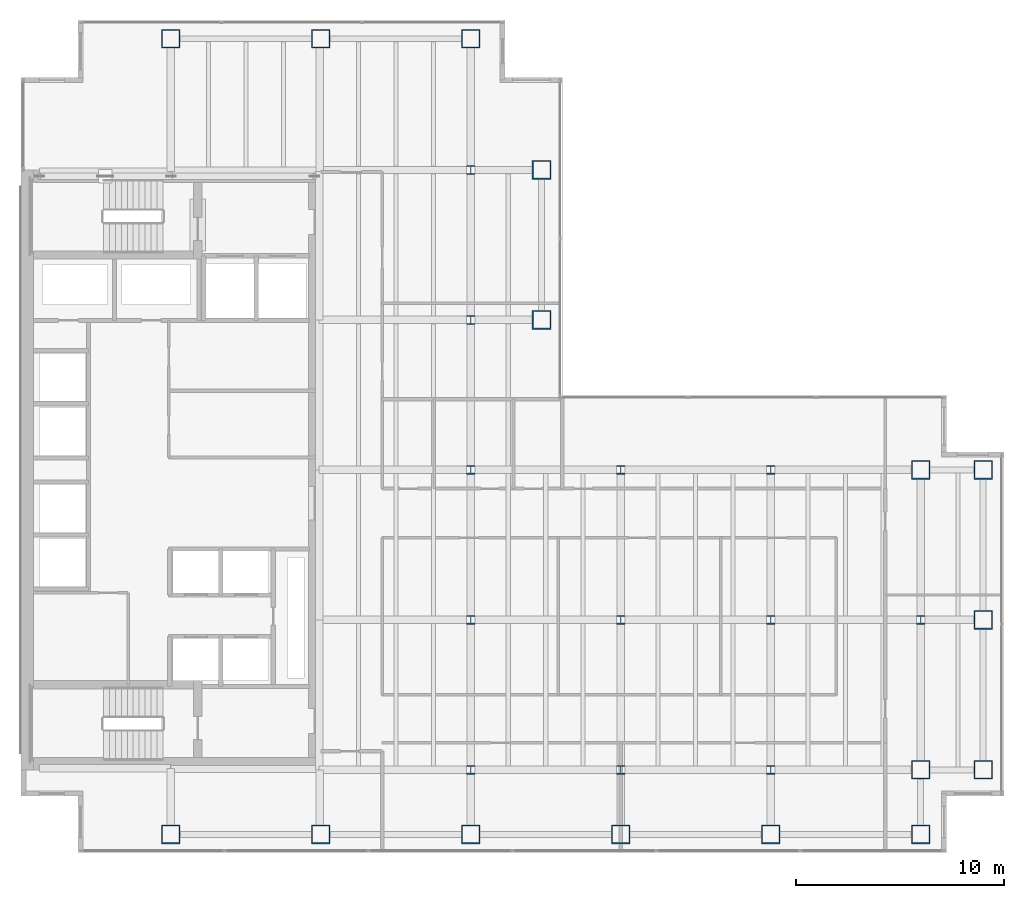
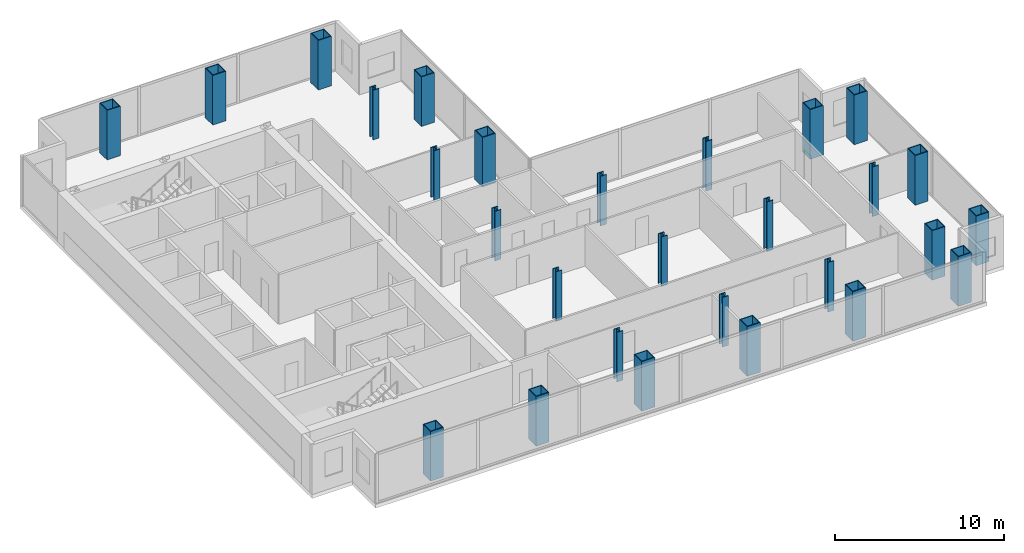
# One storey, part 1 of 24: 28 columns.
"""IFC4 building model written with IfcOpenShell, lengths in metres."""

from ifc_helpers import new_model, si_unit, direction, frame, origin, origin_2d, place, context, subcontext, project, spatial, hollow_rectangle, i_section, extrude, material, material_profile, profile_set, type_object, element, save


model = new_model("IFC4")

# Units and contexts
model_context = context("Model", 3, precision=1e-05, world=origin(), true_north=direction((0.0, 1.0)))
body_context = subcontext(model_context, "Body", "Model", "MODEL_VIEW")
ifc_project = project(units=[si_unit("LENGTHUNIT", "METRE"), si_unit("AREAUNIT", "SQUARE_METRE"), si_unit("VOLUMEUNIT", "CUBIC_METRE"), si_unit("PLANEANGLEUNIT", "RADIAN"), si_unit("MASSUNIT", "GRAM", prefix="KILO")], contexts=[model_context])

# Site, building, storey
site_placement = place(None, origin())
site = spatial("IfcSite", under=ifc_project, at=site_placement, CompositionType="ELEMENT")
building_placement = place(site_placement, origin())
building = spatial("IfcBuilding", under=site, at=building_placement, Name="Cobrela Telecom Tower", CompositionType="ELEMENT")
storey_placement = place(building_placement, frame((0.0, 0.0, 121.449951171875)))
storey = spatial("IfcBuildingStorey", under=building, at=storey_placement, Name="L30", CompositionType="ELEMENT", Elevation=121.449951171875)

# Columns
ifc_material_1 = material(Name="Steel ASTM A992 Grade 50", Category="steel")
ifc_material_profile_1 = material_profile(ifc_material_1, i_section(OverallWidth=0.408935546875, OverallDepth=0.424072265625, WebThickness=0.03271484375, FlangeThickness=0.052490234375, FilletRadius=0.01806640625, at=origin_2d()), Name="W14X283")
ifc_profile_set_1 = profile_set([ifc_material_profile_1], Name="Steel ASTM A992 Grade 50")
column_type_1 = type_object("IfcColumnType", Name="COL-INT-05", PredefinedType="COLUMN", material=ifc_profile_set_1)
for number, where, z_axis, x_axis, name in (
    (1, (21.60009765625, 7.199951171875, 0.0), (0.0, 0.0, 1.0), (1.0, 0.0, 0.0), "L30 Interior Column 06"),
    (2, (21.60009765625, 14.39990234375, 0.0), (0.0, 0.0, 1.0), (1.0, 0.0, 0.0), "L30 Interior Column 07"),
    (3, (21.60009765625, 21.60009765625, 0.0), (0.0, 0.0, 1.0), (1.0, 0.0, 0.0), "L30 Interior Column 08"),
    (4, (21.60009765625, 28.800048828125, 0.0), (0.0, 0.0, 1.0), (1.0, 0.0, 0.0), "L30 Interior Column 09"),
    (5, (21.60009765625, 36.0, 0.0), (0.0, 0.0, 1.0), (1.0, 0.0, 0.0), "L30 Interior Column 10"),
    (6, (28.800048828125, 7.199951171875, 0.0), (0.0, 0.0, 1.0), (1.0, 0.0, 0.0), "L30 Interior Column 15"),
    (7, (28.800048828125, 14.39990234375, 0.0), (0.0, 0.0, 1.0), (1.0, 0.0, 0.0), "L30 Interior Column 16"),
    (8, (28.800048828125, 21.60009765625, 0.0), (0.0, 0.0, 1.0), (1.0, 0.0, 0.0), "L30 Interior Column 17"),
    (9, (36.0, 7.199951171875, 0.0), (0.0, 0.0, 1.0), (1.0, 0.0, 0.0), "L30 Interior Column 19"),
    (10, (36.0, 14.39990234375, 0.0), (0.0, 0.0, 1.0), (1.0, 0.0, 0.0), "L30 Interior Column 20"),
    (11, (36.0, 21.60009765625, 0.0), (0.0, 0.0, 1.0), (1.0, 0.0, 0.0), "L30 Interior Column 21"),
    (12, (43.199951171875, 14.39990234375, 0.0), (0.0, 0.0, 1.0), (1.0, 0.0, 0.0), "L30 Interior Column 24"),
):
    element("IfcColumn", number, at=place(storey_placement, frame(where, z_axis=z_axis, x_axis=x_axis)), inside=storey, type_object=column_type_1, Name=name, PredefinedType="COLUMN", context=body_context, shape_type="SweptSolid", body=[
        extrude(i_section(OverallWidth=0.408935546875, OverallDepth=0.424072265625, WebThickness=0.03271484375, FlangeThickness=0.052490234375, FilletRadius=0.01806640625, at=origin_2d()), origin(), (0.0, 0.0, 1.0), 3.580078125),
    ])
ifc_material_2 = material(Name="Steel ASTM A572 Grade 50", Category="steel")
ifc_material_profile_2 = material_profile(ifc_material_2, hollow_rectangle(XDim=0.89990234375, YDim=0.89990234375, WallThickness=0.054931640625, at=origin_2d()), Name="BOX 900x900x55")
ifc_profile_set_2 = profile_set([ifc_material_profile_2], Name="Steel ASTM A572 Grade 50")
column_type_2 = type_object("IfcColumnType", Name="COL-MEGA-05", PredefinedType="COLUMN", material=ifc_profile_set_2)
for number, where, z_axis, x_axis, name in (
    (13, (7.199951171875, 4.10009765625, 0.0), (0.0, 0.0, 1.0), (1.0, 0.0, 0.0), "L30 Perimeter Mega-Column 01"),
    (14, (7.199951171875, 42.300048828125, 0.0), (0.0, 0.0, 1.0), (1.0, 0.0, 0.0), "L30 Perimeter Mega-Column 02"),
    (15, (14.39990234375, 4.10009765625, 0.0), (0.0, 0.0, 1.0), (1.0, 0.0, 0.0), "L30 Perimeter Mega-Column 03"),
    (16, (14.39990234375, 42.300048828125, 0.0), (0.0, 0.0, 1.0), (1.0, 0.0, 0.0), "L30 Perimeter Mega-Column 04"),
    (17, (21.60009765625, 4.10009765625, 0.0), (0.0, 0.0, 1.0), (1.0, 0.0, 0.0), "L30 Perimeter Mega-Column 05"),
    (18, (21.60009765625, 42.300048828125, 0.0), (0.0, 0.0, 1.0), (1.0, 0.0, 0.0), "L30 Perimeter Mega-Column 11"),
    (19, (25.0, 28.800048828125, 0.0), (0.0, 0.0, 1.0), (1.0, 0.0, 0.0), "L30 Perimeter Mega-Column 12"),
    (20, (25.0, 36.0, 0.0), (0.0, 0.0, 1.0), (1.0, 0.0, 0.0), "L30 Perimeter Mega-Column 13"),
    (21, (28.800048828125, 4.10009765625, 0.0), (0.0, 0.0, 1.0), (1.0, 0.0, 0.0), "L30 Perimeter Mega-Column 14"),
    (22, (36.0, 4.10009765625, 0.0), (0.0, 0.0, 1.0), (1.0, 0.0, 0.0), "L30 Perimeter Mega-Column 18"),
    (23, (43.199951171875, 4.10009765625, 0.0), (0.0, 0.0, 1.0), (1.0, 0.0, 0.0), "L30 Perimeter Mega-Column 22"),
    (24, (43.199951171875, 7.199951171875, 0.0), (0.0, 0.0, 1.0), (1.0, 0.0, 0.0), "L30 Perimeter Mega-Column 23"),
    (25, (43.199951171875, 21.60009765625, 0.0), (0.0, 0.0, 1.0), (1.0, 0.0, 0.0), "L30 Perimeter Mega-Column 25"),
    (26, (46.199951171875, 7.199951171875, 0.0), (0.0, 0.0, 1.0), (1.0, 0.0, 0.0), "L30 Perimeter Mega-Column 26"),
    (27, (46.199951171875, 14.39990234375, 0.0), (0.0, 0.0, 1.0), (1.0, 0.0, 0.0), "L30 Perimeter Mega-Column 27"),
    (28, (46.199951171875, 21.60009765625, 0.0), (0.0, 0.0, 1.0), (1.0, 0.0, 0.0), "L30 Perimeter Mega-Column 28"),
):
    element("IfcColumn", number, at=place(storey_placement, frame(where, z_axis=z_axis, x_axis=x_axis)), inside=storey, type_object=column_type_2, Name=name, PredefinedType="COLUMN", context=body_context, shape_type="SweptSolid", body=[
        extrude(hollow_rectangle(XDim=0.89990234375, YDim=0.89990234375, WallThickness=0.054931640625, at=origin_2d()), origin(), (0.0, 0.0, 1.0), 3.580078125),
    ])

save(model, "model.ifc")
